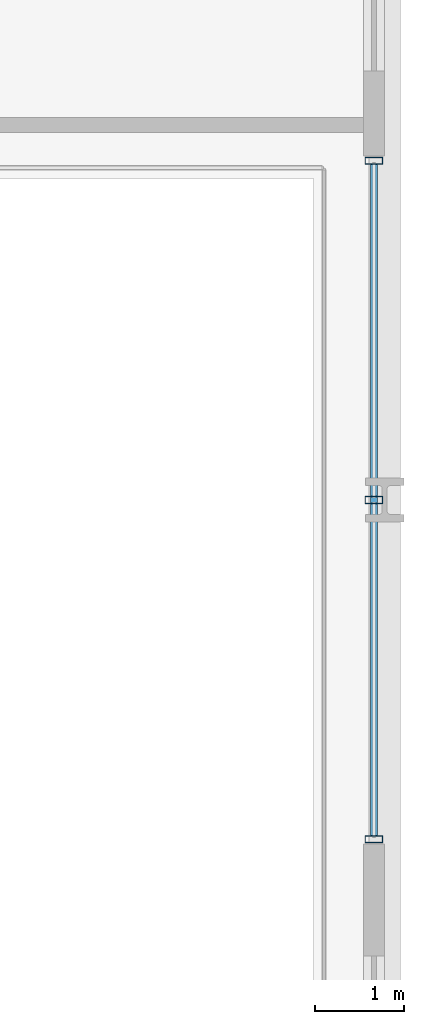
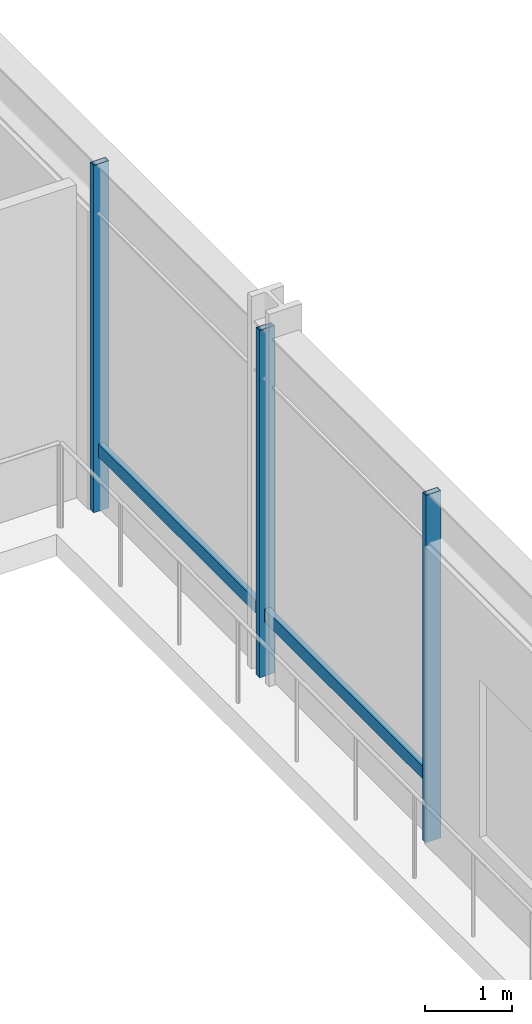
# One storey, part 9 of 20: 4 members, 1 element without a shape of its own.
"""IFC4 building model written with IfcOpenShell, lengths in metres."""

from ifc_helpers import new_model, si_unit, direction, frame, origin, origin_2d, place, context, subcontext, project, spatial, hollow_rectangle, extrude, material, layer, layer_set, material_profile, profile_set, type_object, element, aggregate, save


model = new_model("IFC4")

# Units and contexts
model_context = context("Model", 3, precision=1e-05, world=origin(), true_north=direction((0.0, 1.0)))
body_context = subcontext(model_context, "Body", "Model", "MODEL_VIEW")
ifc_project = project(units=[si_unit("LENGTHUNIT", "METRE"), si_unit("AREAUNIT", "SQUARE_METRE"), si_unit("VOLUMEUNIT", "CUBIC_METRE"), si_unit("PLANEANGLEUNIT", "RADIAN"), si_unit("MASSUNIT", "GRAM", prefix="KILO")], contexts=[model_context])

# Site, building, storey
site_placement = place(None, origin())
site = spatial("IfcSite", under=ifc_project, at=site_placement, CompositionType="ELEMENT")
building_placement = place(site_placement, origin())
building = spatial("IfcBuilding", under=site, at=building_placement, Name="Drelvath Grand Hotel", CompositionType="ELEMENT")
storey_placement = place(building_placement, frame((0.0, 0.0, 5.60009765625)))
storey = spatial("IfcBuildingStorey", under=building, at=storey_placement, Name="L01", CompositionType="ELEMENT", Elevation=5.60009765625)

# Curtain wall, members
ifc_material = material(Name="Dark Bronze Anodised Aluminium Frame", Category="aluminium")
ifc_layer = layer(ifc_material, 0.199951171875)
ifc_layer_set = layer_set([ifc_layer], Name="Dark Bronze Anodised Aluminium Frame")
curtain_wall_type = type_object("IfcCurtainWallType", Name="Stick Curtain Wall CW-01 Dark Bronze Podium", PredefinedType="NOTDEFINED", material=ifc_layer_set)
curtain_wall_placement = place(storey_placement, origin())
curtain_wall = element("IfcCurtainWall", 1, at=curtain_wall_placement, inside=storey, type_object=curtain_wall_type, Name="L01 CW-01 Curtain Wall CW01-L01-EA2", PredefinedType="NOTDEFINED")
ifc_material_profile_1 = material_profile(ifc_material, hollow_rectangle(XDim=0.074951171875, YDim=0.179931640625, WallThickness=0.0048828125, at=origin_2d()), Name="HSS180X75X5")
ifc_profile_set_1 = profile_set([ifc_material_profile_1], Name="Dark Bronze Anodised Aluminium Frame")
member_type_1 = type_object("IfcMemberType", Name="Curtain Wall Horizontal Transom CW-01 HSS180X75X5", PredefinedType="USERDEFINED", material=ifc_profile_set_1)
member_1_placement = place(storey_placement, frame((38.8798828125, 39.159912109375, 0.849853515625), z_axis=(0.0, -1.0, 0.0), x_axis=(1.0, 0.0, 0.0)))
member_1 = element("IfcMember", 2, at=member_1_placement, type_object=member_type_1, Name="CW01-L01-EA2 Sill Transom", ObjectType="TRANSOM", PredefinedType="USERDEFINED", context=body_context, shape_type="SweptSolid", body=[
    extrude(hollow_rectangle(XDim=0.074951171875, YDim=0.179931640625, WallThickness=0.0048828125, at=origin_2d()), origin(), (0.0, 0.0, 1.0), 7.52001953125),
])
ifc_material_profile_2 = material_profile(ifc_material, hollow_rectangle(XDim=0.080078125, YDim=0.199951171875, WallThickness=0.0048828125, at=origin_2d()), Name="HSS200X80X5")
ifc_profile_set_2 = profile_set([ifc_material_profile_2], Name="Dark Bronze Anodised Aluminium Frame")
member_type_2 = type_object("IfcMemberType", Name="Curtain Wall Vertical Mullion CW-01 HSS200X80X5", PredefinedType="MULLION", material=ifc_profile_set_2)
member_2_placement = place(storey_placement, frame((38.8798828125, 39.199951171875, 0.0), z_axis=(0.0, 0.0, 1.0), x_axis=(0.0, 1.0, 0.0)))
member_2 = element("IfcMember", 3, at=member_2_placement, type_object=member_type_2, Name="CW01-L01-EA2 Mullion 1", PredefinedType="MULLION", context=body_context, shape_type="SweptSolid", body=[
    extrude(hollow_rectangle(XDim=0.080078125, YDim=0.199951171875, WallThickness=0.0048828125, at=origin_2d()), origin(), (0.0, 0.0, 1.0), 4.849853515625),
])
member_3_placement = place(storey_placement, frame((38.8798828125, 35.39990234375, 0.0), z_axis=(0.0, 0.0, 1.0), x_axis=(0.0, 1.0, 0.0)))
member_3 = element("IfcMember", 4, at=member_3_placement, type_object=member_type_2, Name="CW01-L01-EA2 Mullion 2", PredefinedType="MULLION", context=body_context, shape_type="SweptSolid", body=[
    extrude(hollow_rectangle(XDim=0.080078125, YDim=0.199951171875, WallThickness=0.0048828125, at=origin_2d()), origin(), (0.0, 0.0, 1.0), 4.849853515625),
])
member_4_placement = place(storey_placement, frame((38.8798828125, 31.60009765625, 0.0), z_axis=(0.0, 0.0, 1.0), x_axis=(0.0, 1.0, 0.0)))
member_4 = element("IfcMember", 5, at=member_4_placement, type_object=member_type_2, Name="CW01-L01-EA2 Mullion 3", PredefinedType="MULLION", context=body_context, shape_type="SweptSolid", body=[
    extrude(hollow_rectangle(XDim=0.080078125, YDim=0.199951171875, WallThickness=0.0048828125, at=origin_2d()), origin(), (0.0, 0.0, 1.0), 4.849853515625),
])
aggregate(curtain_wall, [member_2, member_3, member_4, member_1])

save(model, "model.ifc")
